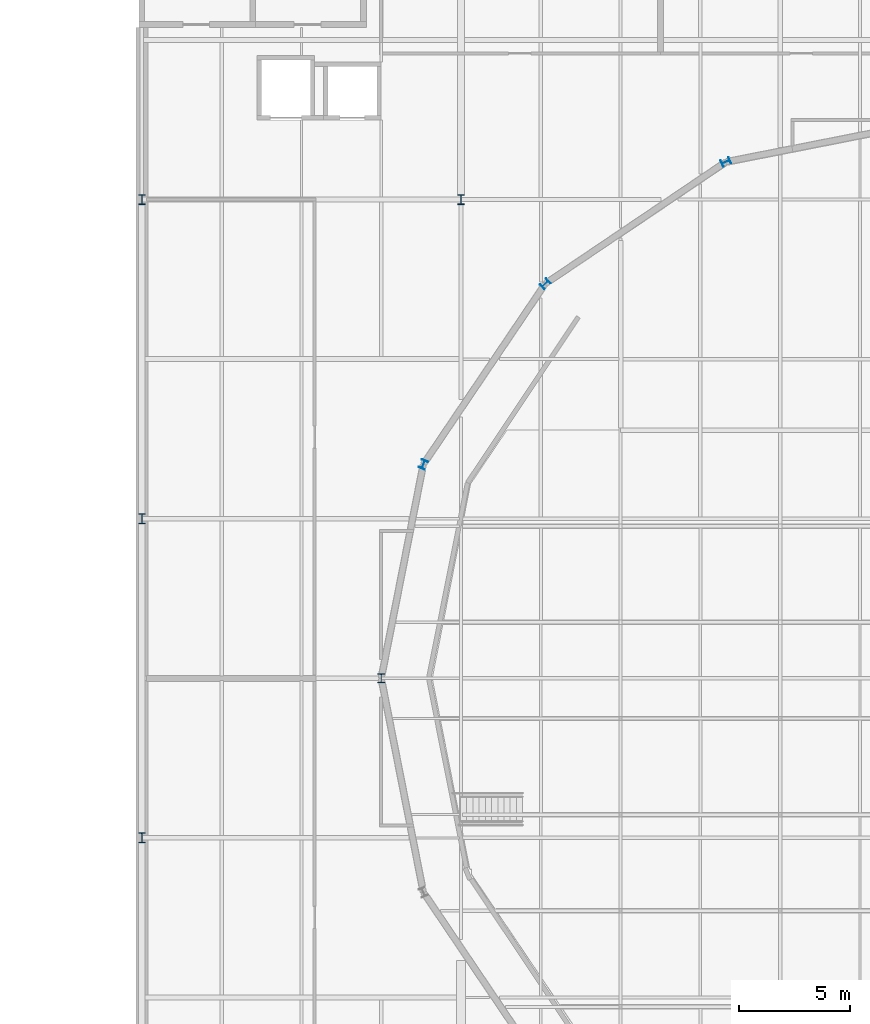
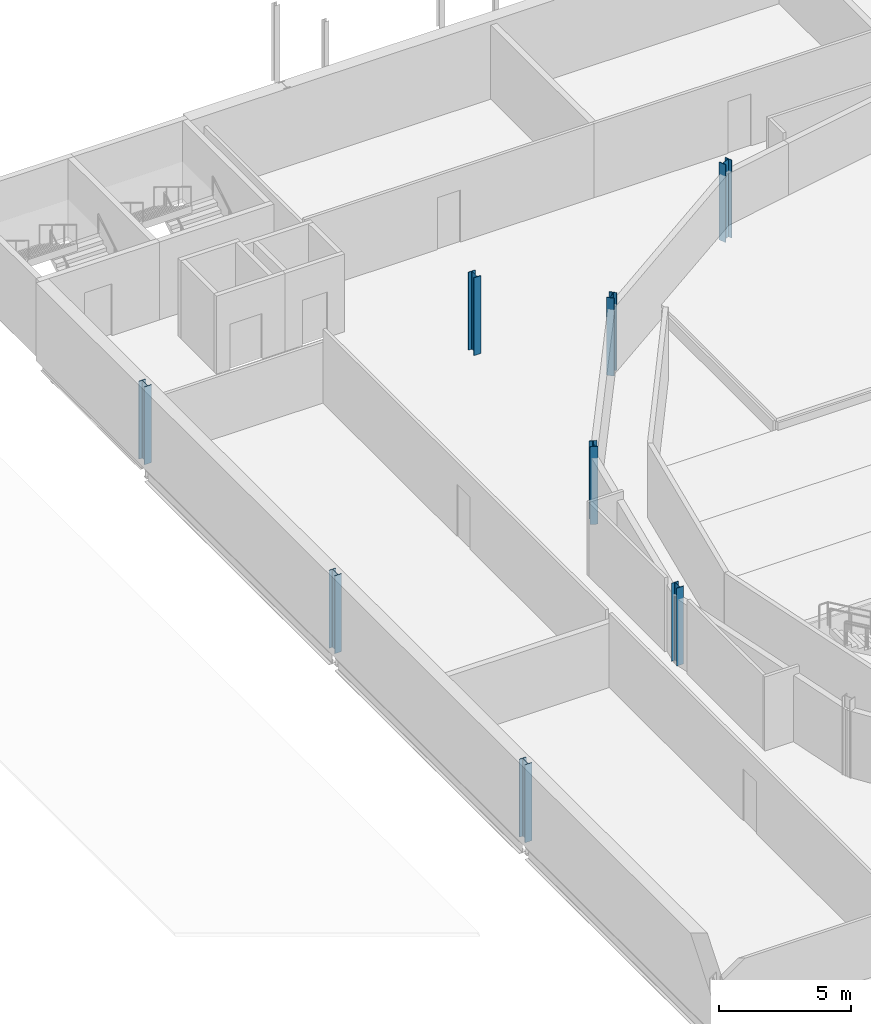
# One storey, part 8 of 90: 8 columns.
"""IFC4 building model written with IfcOpenShell, lengths in metres."""

from ifc_helpers import new_model, si_unit, direction, frame, origin, origin_2d, place, context, subcontext, project, spatial, i_section, extrude, material, material_profile, profile_set, type_object, element, save


model = new_model("IFC4")

# Units and contexts
model_context = context("Model", 3, precision=1e-05, world=origin(), true_north=direction((0.0, 1.0)))
body_context = subcontext(model_context, "Body", "Model", "MODEL_VIEW")
ifc_project = project(units=[si_unit("LENGTHUNIT", "METRE"), si_unit("AREAUNIT", "SQUARE_METRE"), si_unit("VOLUMEUNIT", "CUBIC_METRE"), si_unit("PLANEANGLEUNIT", "RADIAN"), si_unit("MASSUNIT", "GRAM", prefix="KILO")], contexts=[model_context])

# Site, building, storey
site_placement = place(None, origin())
site = spatial("IfcSite", under=ifc_project, at=site_placement, CompositionType="ELEMENT")
building_placement = place(site_placement, origin())
building = spatial("IfcBuilding", under=site, at=building_placement, Name="Kupolbacken Congress Centre", CompositionType="ELEMENT")
storey_placement = place(building_placement, frame((0.0, 0.0, 3.60009765625)))
storey = spatial("IfcBuildingStorey", under=building, at=storey_placement, Name="L01", CompositionType="ELEMENT", Elevation=3.60009765625)

# Columns
ifc_material_1 = material(Name="Steel S355", Category="steel")
ifc_material_profile_1 = material_profile(ifc_material_1, i_section(OverallWidth=0.300048828125, OverallDepth=0.449951171875, WebThickness=0.013916015625, FlangeThickness=0.02587890625, FilletRadius=0.027099609375, at=origin_2d()), Name="HEB 450")
ifc_profile_set_1 = profile_set([ifc_material_profile_1], Name="Steel S355")
column_type_1 = type_object("IfcColumnType", Name="C03 column HEB 450", PredefinedType="COLUMN", material=ifc_profile_set_1)
for number, where, z_axis, x_axis, name in (
    (1, (7.199951171875, 79.199951171875, 0.0), (0.0, 0.0, 1.0), (1.0, 0.0, 0.0), "S/col/C-P-2M/L01"),
    (2, (7.199951171875, 93.60009765625, 0.0), (0.0, 0.0, 1.0), (1.0, 0.0, 0.0), "S/col/C-P-2P/L01"),
    (3, (7.199951171875, 108.0, 0.0), (0.0, 0.0, 1.0), (1.0, 0.0, 0.0), "S/col/C-P-2R/L01"),
    (4, (21.60009765625, 108.0, 0.0), (0.0, 0.0, 1.0), (1.0, 0.0, 0.0), "S/col/C-P-4R/L01"),
):
    element("IfcColumn", number, at=place(storey_placement, frame(where, z_axis=z_axis, x_axis=x_axis)), inside=storey, type_object=column_type_1, Name=name, PredefinedType="COLUMN", context=body_context, shape_type="SweptSolid", body=[
        extrude(i_section(OverallWidth=0.300048828125, OverallDepth=0.449951171875, WebThickness=0.013916015625, FlangeThickness=0.02587890625, FilletRadius=0.027099609375, at=origin_2d()), origin(), (0.0, 0.0, 1.0), 3.599853515625),
    ])
ifc_material_2 = material(Name="Steel S355", Category="steel")
ifc_material_profile_2 = material_profile(ifc_material_2, i_section(OverallWidth=0.300048828125, OverallDepth=0.39990234375, WebThickness=0.013427734375, FlangeThickness=0.02392578125, FilletRadius=0.027099609375, at=origin_2d()), Name="HEB 400")
ifc_profile_set_2 = profile_set([ifc_material_profile_2], Name="Steel S355")
column_type_2 = type_object("IfcColumnType", Name="C08 column HEB 400", PredefinedType="COLUMN", material=ifc_profile_set_2)
for number, where, z_axis, x_axis, name in (
    (5, (33.550048828125, 109.699951171875, 0.0), (0.0, 0.0, 1.0), (-0.382643629864, 0.923896018243, 0.0), "S/col/C-D06/L01"),
    (6, (25.39990234375, 104.199951171875, 0.0), (0.0, 0.0, 1.0), (-0.707106781187, 0.707106781187, 0.0), "S/col/C-D07/L01"),
    (7, (19.89990234375, 96.050048828125, 0.0), (0.0, 0.0, 1.0), (-0.923896018243, 0.382643629864, 0.0), "S/col/C-D08/L01"),
    (8, (18.0, 86.39990234375, 0.0), (0.0, 0.0, 1.0), (-1.0, 0.0, 0.0), "S/col/C-D09/L01"),
):
    element("IfcColumn", number, at=place(storey_placement, frame(where, z_axis=z_axis, x_axis=x_axis)), inside=storey, type_object=column_type_2, Name=name, PredefinedType="COLUMN", context=body_context, shape_type="SweptSolid", body=[
        extrude(i_section(OverallWidth=0.300048828125, OverallDepth=0.39990234375, WebThickness=0.013427734375, FlangeThickness=0.02392578125, FilletRadius=0.027099609375, at=origin_2d()), origin(), (0.0, 0.0, 1.0), 3.599853515625),
    ])

save(model, "model.ifc")
